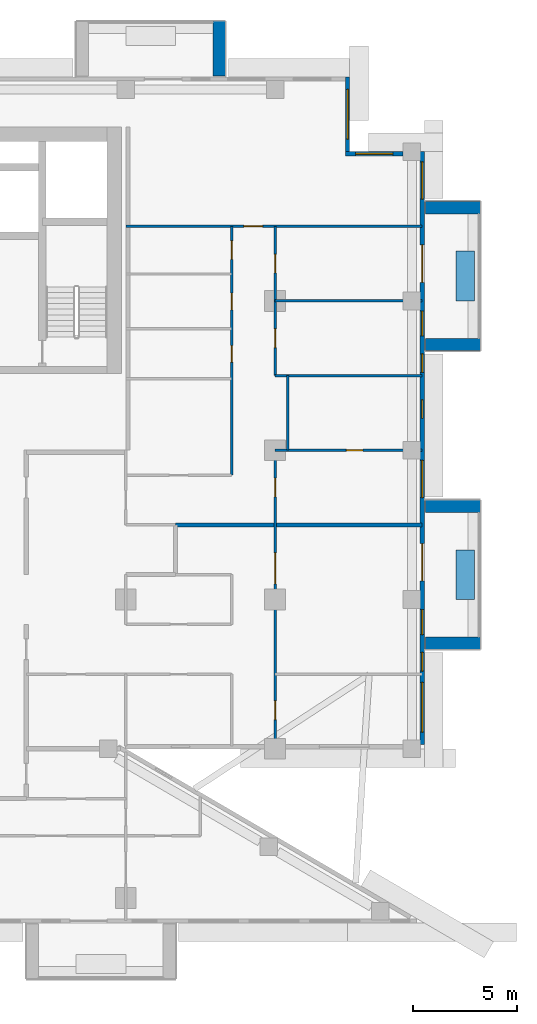
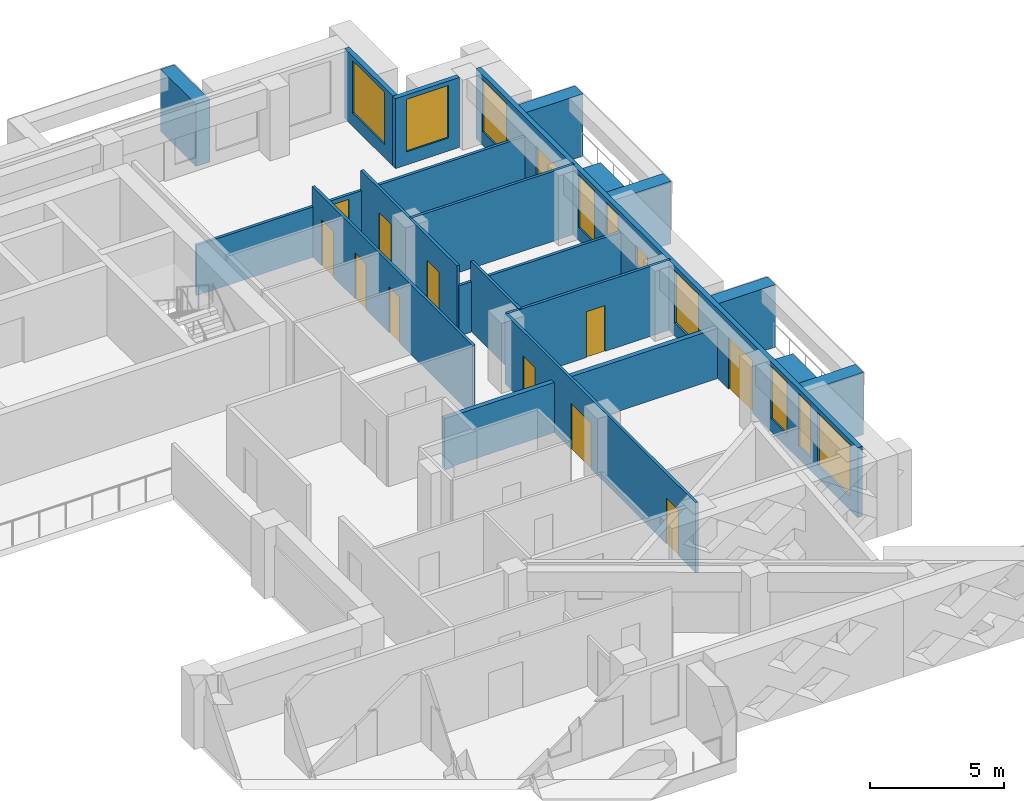
# One storey, part 12 of 20: 19 walls, 12 doors, 10 windows, 22 openings.
"""IFC4 building model written with IfcOpenShell, lengths in metres."""

from ifc_helpers import new_model, si_unit, direction, frame, frame_2d, origin, place, context, subcontext, project, spatial, rectangle, extrude, material, layer, layer_set, type_object, element, fill, save


model = new_model("IFC4")

# Units and contexts
model_context = context("Model", 3, precision=1e-05, world=origin(), true_north=direction((0.0, 1.0)))
body_context = subcontext(model_context, "Body", "Model", "MODEL_VIEW")
ifc_project = project(units=[si_unit("LENGTHUNIT", "METRE"), si_unit("AREAUNIT", "SQUARE_METRE"), si_unit("VOLUMEUNIT", "CUBIC_METRE"), si_unit("PLANEANGLEUNIT", "RADIAN"), si_unit("MASSUNIT", "GRAM", prefix="KILO")], contexts=[model_context])

# Site, building, storey
site_placement = place(None, origin())
site = spatial("IfcSite", under=ifc_project, at=site_placement, CompositionType="ELEMENT")
building_placement = place(site_placement, origin())
building = spatial("IfcBuilding", under=site, at=building_placement, Name="Saffron Iwan Residences", CompositionType="ELEMENT")
storey_placement = place(building_placement, frame((0.0, 0.0, 143.0)))
storey = spatial("IfcBuildingStorey", under=building, at=storey_placement, Name="L37", CompositionType="ELEMENT", Elevation=143.0)

# Walls
ifc_material_1 = material(Name="Concrete C50/60 white painted", Category="concrete")
ifc_layer_1 = layer(ifc_material_1, 0.60009765625)
ifc_layer_set_1 = layer_set([ifc_layer_1], Name="Concrete C50/60 white painted")
wall_type_1 = type_object("IfcWallType", Name="BALCONY FIN 600", PredefinedType="SOLIDWALL", material=ifc_layer_set_1)
for number, where, z_axis, x_axis, name in (
    (1, (86.449951171875, 53.10009765625, 0.0), (0.0, 0.0, 1.0), (1.0, 0.0, 0.0), "Balcony fin L37 F2-0a"),
    (2, (86.449951171875, 59.699951171875, 0.0), (0.0, 0.0, 1.0), (1.0, 0.0, 0.0), "Balcony fin L37 F2-0b"),
    (3, (86.449951171875, 67.5, 0.0), (0.0, 0.0, 1.0), (1.0, 0.0, 0.0), "Balcony fin L37 F2-1a"),
    (4, (86.449951171875, 74.10009765625, 0.0), (0.0, 0.0, 1.0), (1.0, 0.0, 0.0), "Balcony fin L37 F2-1b"),
    (5, (76.5, 80.449951171875, 0.0), (0.0, 0.0, 1.0), (0.0, 1.0, 0.0), "Balcony fin L37 F5-0a"),
):
    element("IfcWall", number, at=place(storey_placement, frame(where, z_axis=z_axis, x_axis=x_axis)), inside=storey, type_object=wall_type_1, Name=name, PredefinedType="SOLIDWALL", context=body_context, shape_type="SweptSolid", body=[
        extrude(rectangle(XDim=2.650146484375, YDim=0.60009765625, at=frame_2d((1.3251953125, 0.0))), origin(), (0.0, 0.0, 1.0), 2.85009765625),
    ])
ifc_material_2 = material(Name="Concrete C35/45 white painted", Category="concrete")
ifc_layer_2 = layer(ifc_material_2, 0.14990234375)
ifc_layer_set_2 = layer_set([ifc_layer_2], Name="Concrete C35/45 white painted")
wall_type_2 = type_object("IfcWallType", Name="BALCONY PLANTER", PredefinedType="SOLIDWALL", material=ifc_layer_set_2)
wall_1_placement = place(storey_placement, frame((88.375, 55.199951171875, 0.0), z_axis=(0.0, 0.0, 1.0), x_axis=(0.0, 1.0, 0.0)))
element("IfcWall", 6, at=wall_1_placement, inside=storey, type_object=wall_type_2, Name="PLANTER L37 F2-0", PredefinedType="SOLIDWALL", context=body_context, shape_type="SweptSolid", body=[
    extrude(rectangle(XDim=2.400146484375, YDim=0.89990234375, at=frame_2d((1.2001953125, 0.0))), origin(), (0.0, 0.0, 1.0), 0.89990234375),
])
wall_2_placement = place(storey_placement, frame((88.375, 69.60009765625, 0.0), z_axis=(0.0, 0.0, 1.0), x_axis=(0.0, 1.0, 0.0)))
element("IfcWall", 7, at=wall_2_placement, inside=storey, type_object=wall_type_2, Name="PLANTER L37 F2-1", PredefinedType="SOLIDWALL", context=body_context, shape_type="SweptSolid", body=[
    extrude(rectangle(XDim=2.39990234375, YDim=0.89990234375, at=frame_2d((1.199951171875, 0.0))), origin(), (0.0, 0.0, 1.0), 0.89990234375),
])

# Wall, openings, doors, windows
ifc_material_3 = material(Name="Concrete C40/50", Category="concrete")
ifc_layer_3 = layer(ifc_material_3, 0.199951171875)
ifc_layer_set_3 = layer_set([ifc_layer_3], Name="Concrete C40/50")
wall_type_3 = type_object("IfcWallType", Name="EXTERNAL WALL 200", PredefinedType="SOLIDWALL", material=ifc_layer_set_3)
wall_3_placement = place(storey_placement, frame((86.300048828125, 48.199951171875, 0.0), z_axis=(0.0, 0.0, 1.0), x_axis=(0.0, 1.0, 0.0)))
wall_3 = element("IfcWall", 8, at=wall_3_placement, inside=storey, type_object=wall_type_3, Name="External wall L37 F2.0", PredefinedType="SOLIDWALL", context=body_context, shape_type="SweptSolid", body=[
    extrude(rectangle(XDim=28.60009765625, YDim=0.199951171875, at=frame_2d((14.300048828125, 0.0))), origin(), (0.0, 0.0, 1.0), 3.199951171875),
])
opening_1_placement = place(wall_3_placement, frame((7.89990234375, 0.0, 0.0)))
opening_1 = element("IfcOpeningElement", 9, at=opening_1_placement, cuts=wall_3, Name="Opening BD1", PredefinedType="OPENING", context=body_context, shape_type="SweptSolid", body=[
    extrude(rectangle(XDim=1.800048828125, YDim=2.39990234375, at=frame_2d((0.89990234375, 1.199951171875))), frame((0.0, 0.10986328125, 0.0), z_axis=(0.0, -1.0, 0.0), x_axis=(1.0, 0.0, 0.0)), (0.0, 0.0, 1.0), 0.219970703125),
])
opening_2_placement = place(wall_3_placement, frame((22.300048828125, 0.0, 0.0)))
opening_2 = element("IfcOpeningElement", 10, at=opening_2_placement, cuts=wall_3, Name="Opening BD1", PredefinedType="OPENING", context=body_context, shape_type="SweptSolid", body=[
    extrude(rectangle(XDim=1.800048828125, YDim=2.39990234375, at=frame_2d((0.89990234375, 1.199951171875))), frame((0.0, 0.10986328125, 0.0), z_axis=(0.0, -1.0, 0.0), x_axis=(1.0, 0.0, 0.0)), (0.0, 0.0, 1.0), 0.219970703125),
])
opening_3_placement = place(wall_3_placement, frame((0.60009765625, 0.0, 0.60009765625)))
opening_3 = element("IfcOpeningElement", 11, at=opening_3_placement, cuts=wall_3, Name="Opening W1", PredefinedType="OPENING", context=body_context, shape_type="SweptSolid", body=[
    extrude(rectangle(XDim=2.39990234375, YDim=2.39990234375, at=frame_2d((1.199951171875, 1.199951171875))), frame((0.0, 0.10986328125, 0.0), z_axis=(0.0, -1.0, 0.0), x_axis=(1.0, 0.0, 0.0)), (0.0, 0.0, 1.0), 0.219970703125),
])
opening_4_placement = place(wall_3_placement, frame((3.550048828125, 0.0, 0.60009765625)))
opening_4 = element("IfcOpeningElement", 12, at=opening_4_placement, cuts=wall_3, Name="Opening W10", PredefinedType="OPENING", context=body_context, shape_type="SweptSolid", body=[
    extrude(rectangle(XDim=0.89990234375, YDim=2.39990234375, at=frame_2d((0.449951171875, 1.199951171875))), frame((0.0, 0.10986328125, 0.0), z_axis=(0.0, -1.0, 0.0), x_axis=(1.0, 0.0, 0.0)), (0.0, 0.0, 1.0), 0.219970703125),
])
opening_5_placement = place(wall_3_placement, frame((5.3125, 0.0, 0.60009765625)))
opening_5 = element("IfcOpeningElement", 13, at=opening_5_placement, cuts=wall_3, Name="Opening W3", PredefinedType="OPENING", context=body_context, shape_type="SweptSolid", body=[
    extrude(rectangle(XDim=1.199951171875, YDim=2.39990234375, at=frame_2d((0.60009765625, 1.199951171875))), frame((0.0, 0.10986328125, 0.0), z_axis=(0.0, -1.0, 0.0), x_axis=(1.0, 0.0, 0.0)), (0.0, 0.0, 1.0), 0.219970703125),
])
opening_6_placement = place(wall_3_placement, frame((11.91259765625, 0.0, 0.60009765625)))
opening_6 = element("IfcOpeningElement", 14, at=opening_6_placement, cuts=wall_3, Name="Opening W8", PredefinedType="OPENING", context=body_context, shape_type="SweptSolid", body=[
    extrude(rectangle(XDim=1.800048828125, YDim=2.39990234375, at=frame_2d((0.89990234375, 1.199951171875))), frame((0.0, 0.10986328125, 0.0), z_axis=(0.0, -1.0, 0.0), x_axis=(1.0, 0.0, 0.0)), (0.0, 0.0, 1.0), 0.219970703125),
])
opening_7_placement = place(wall_3_placement, frame((15.737548828125, 0.0, 1.5)))
opening_7 = element("IfcOpeningElement", 15, at=opening_7_placement, cuts=wall_3, Name="Opening W6", PredefinedType="OPENING", context=body_context, shape_type="SweptSolid", body=[
    extrude(rectangle(XDim=0.89990234375, YDim=0.89990234375, at=frame_2d((0.449951171875, 0.449951171875))), frame((0.0, 0.10986328125, 0.0), z_axis=(0.0, -1.0, 0.0), x_axis=(1.0, 0.0, 0.0)), (0.0, 0.0, 1.0), 0.219970703125),
])
opening_8_placement = place(wall_3_placement, frame((17.949951171875, 0.0, 0.60009765625)))
opening_8 = element("IfcOpeningElement", 16, at=opening_8_placement, cuts=wall_3, Name="Opening W10", PredefinedType="OPENING", context=body_context, shape_type="SweptSolid", body=[
    extrude(rectangle(XDim=0.89990234375, YDim=2.39990234375, at=frame_2d((0.449951171875, 1.199951171875))), frame((0.0, 0.10986328125, 0.0), z_axis=(0.0, -1.0, 0.0), x_axis=(1.0, 0.0, 0.0)), (0.0, 0.0, 1.0), 0.219970703125),
])
opening_9_placement = place(wall_3_placement, frame((19.71240234375, 0.0, 0.60009765625)))
opening_9 = element("IfcOpeningElement", 17, at=opening_9_placement, cuts=wall_3, Name="Opening W3", PredefinedType="OPENING", context=body_context, shape_type="SweptSolid", body=[
    extrude(rectangle(XDim=1.199951171875, YDim=2.39990234375, at=frame_2d((0.60009765625, 1.199951171875))), frame((0.0, 0.10986328125, 0.0), z_axis=(0.0, -1.0, 0.0), x_axis=(1.0, 0.0, 0.0)), (0.0, 0.0, 1.0), 0.219970703125),
])
opening_10_placement = place(wall_3_placement, frame((26.3125, 0.0, 0.60009765625)))
opening_10 = element("IfcOpeningElement", 18, at=opening_10_placement, cuts=wall_3, Name="Opening W8", PredefinedType="OPENING", context=body_context, shape_type="SweptSolid", body=[
    extrude(rectangle(XDim=1.800048828125, YDim=2.39990234375, at=frame_2d((0.89990234375, 1.199951171875))), frame((0.0, 0.10986328125, 0.0), z_axis=(0.0, -1.0, 0.0), x_axis=(1.0, 0.0, 0.0)), (0.0, 0.0, 1.0), 0.219970703125),
])
ifc_material_4 = material(Name="Clear glass, laminated double glazed", Category="glass")
door_type_1 = type_object("IfcDoorType", Name="BALCONY DOOR 1800 x 2400", OperationType="DOUBLE_DOOR_SLIDING", PredefinedType="DOOR", material=ifc_material_4)
door_1_placement = place(opening_1_placement, origin())
door_1 = element("IfcDoor", 19, at=door_1_placement, inside=storey, type_object=door_type_1, Name="Balcony door L37 F2.0", OperationType="DOUBLE_DOOR_SLIDING", OverallHeight=2.39990234375, OverallWidth=1.800048828125, PredefinedType="DOOR", context=body_context, shape_type="SweptSolid", body=[
    extrude(rectangle(XDim=1.800048828125, YDim=2.39990234375, at=frame_2d((0.89990234375, 1.199951171875))), frame((0.0, 0.02490234375, 0.0), z_axis=(0.0, -1.0, 0.0), x_axis=(1.0, 0.0, 0.0)), (0.0, 0.0, 1.0), 0.050048828125),
])
fill(opening_1, door_1)
door_2_placement = place(opening_2_placement, origin())
door_2 = element("IfcDoor", 20, at=door_2_placement, inside=storey, type_object=door_type_1, Name="Balcony door L37 F2.1", OperationType="DOUBLE_DOOR_SLIDING", OverallHeight=2.39990234375, OverallWidth=1.800048828125, PredefinedType="DOOR", context=body_context, shape_type="SweptSolid", body=[
    extrude(rectangle(XDim=1.800048828125, YDim=2.39990234375, at=frame_2d((0.89990234375, 1.199951171875))), frame((0.0, 0.02490234375, 0.0), z_axis=(0.0, -1.0, 0.0), x_axis=(1.0, 0.0, 0.0)), (0.0, 0.0, 1.0), 0.050048828125),
])
fill(opening_2, door_2)
window_type_1 = type_object("IfcWindowType", Name="WINDOW 1200 x 2400", PartitioningType="SINGLE_PANEL", PredefinedType="WINDOW", material=ifc_material_4)
window_1_placement = place(opening_5_placement, origin())
window_1 = element("IfcWindow", 21, at=window_1_placement, inside=storey, type_object=window_type_1, Name="Window L37 F2.4", OverallHeight=2.39990234375, OverallWidth=1.199951171875, PartitioningType="SINGLE_PANEL", PredefinedType="WINDOW", context=body_context, shape_type="SweptSolid", body=[
    extrude(rectangle(XDim=1.199951171875, YDim=2.39990234375, at=frame_2d((0.60009765625, 1.199951171875))), frame((0.0, 0.030029296875, 0.0), z_axis=(0.0, -1.0, 0.0), x_axis=(1.0, 0.0, 0.0)), (0.0, 0.0, 1.0), 0.06005859375),
])
fill(opening_5, window_1)
window_2_placement = place(opening_9_placement, origin())
window_2 = element("IfcWindow", 22, at=window_2_placement, inside=storey, type_object=window_type_1, Name="Window L37 F2.8", OverallHeight=2.39990234375, OverallWidth=1.199951171875, PartitioningType="SINGLE_PANEL", PredefinedType="WINDOW", context=body_context, shape_type="SweptSolid", body=[
    extrude(rectangle(XDim=1.199951171875, YDim=2.39990234375, at=frame_2d((0.60009765625, 1.199951171875))), frame((0.0, 0.030029296875, 0.0), z_axis=(0.0, -1.0, 0.0), x_axis=(1.0, 0.0, 0.0)), (0.0, 0.0, 1.0), 0.06005859375),
])
fill(opening_9, window_2)
window_type_2 = type_object("IfcWindowType", Name="WINDOW 1800 x 2400", PartitioningType="DOUBLE_PANEL_VERTICAL", PredefinedType="WINDOW", material=ifc_material_4)
window_3_placement = place(opening_6_placement, origin())
window_3 = element("IfcWindow", 23, at=window_3_placement, inside=storey, type_object=window_type_2, Name="Window L37 F2.5", OverallHeight=2.39990234375, OverallWidth=1.800048828125, PartitioningType="DOUBLE_PANEL_VERTICAL", PredefinedType="WINDOW", context=body_context, shape_type="SweptSolid", body=[
    extrude(rectangle(XDim=1.800048828125, YDim=2.39990234375, at=frame_2d((0.89990234375, 1.199951171875))), frame((0.0, 0.030029296875, 0.0), z_axis=(0.0, -1.0, 0.0), x_axis=(1.0, 0.0, 0.0)), (0.0, 0.0, 1.0), 0.06005859375),
])
fill(opening_6, window_3)
window_4_placement = place(opening_10_placement, origin())
window_4 = element("IfcWindow", 24, at=window_4_placement, inside=storey, type_object=window_type_2, Name="Window L37 F2.9", OverallHeight=2.39990234375, OverallWidth=1.800048828125, PartitioningType="DOUBLE_PANEL_VERTICAL", PredefinedType="WINDOW", context=body_context, shape_type="SweptSolid", body=[
    extrude(rectangle(XDim=1.800048828125, YDim=2.39990234375, at=frame_2d((0.89990234375, 1.199951171875))), frame((0.0, 0.030029296875, 0.0), z_axis=(0.0, -1.0, 0.0), x_axis=(1.0, 0.0, 0.0)), (0.0, 0.0, 1.0), 0.06005859375),
])
fill(opening_10, window_4)
window_type_3 = type_object("IfcWindowType", Name="WINDOW 2400 x 2400", PartitioningType="DOUBLE_PANEL_VERTICAL", PredefinedType="WINDOW", material=ifc_material_4)
window_5_placement = place(opening_3_placement, origin())
window_5 = element("IfcWindow", 25, at=window_5_placement, inside=storey, type_object=window_type_3, Name="Window L37 F2.2", OverallHeight=2.39990234375, OverallWidth=2.39990234375, PartitioningType="DOUBLE_PANEL_VERTICAL", PredefinedType="WINDOW", context=body_context, shape_type="SweptSolid", body=[
    extrude(rectangle(XDim=2.39990234375, YDim=2.39990234375, at=frame_2d((1.199951171875, 1.199951171875))), frame((0.0, 0.030029296875, 0.0), z_axis=(0.0, -1.0, 0.0), x_axis=(1.0, 0.0, 0.0)), (0.0, 0.0, 1.0), 0.06005859375),
])
fill(opening_3, window_5)
window_type_4 = type_object("IfcWindowType", Name="WINDOW 900 x 2400", PartitioningType="SINGLE_PANEL", PredefinedType="WINDOW", material=ifc_material_4)
window_6_placement = place(opening_4_placement, origin())
window_6 = element("IfcWindow", 26, at=window_6_placement, inside=storey, type_object=window_type_4, Name="Window L37 F2.3", OverallHeight=2.39990234375, OverallWidth=0.89990234375, PartitioningType="SINGLE_PANEL", PredefinedType="WINDOW", context=body_context, shape_type="SweptSolid", body=[
    extrude(rectangle(XDim=0.89990234375, YDim=2.39990234375, at=frame_2d((0.449951171875, 1.199951171875))), frame((0.0, 0.030029296875, 0.0), z_axis=(0.0, -1.0, 0.0), x_axis=(1.0, 0.0, 0.0)), (0.0, 0.0, 1.0), 0.06005859375),
])
fill(opening_4, window_6)
window_7_placement = place(opening_8_placement, origin())
window_7 = element("IfcWindow", 27, at=window_7_placement, inside=storey, type_object=window_type_4, Name="Window L37 F2.7", OverallHeight=2.39990234375, OverallWidth=0.89990234375, PartitioningType="SINGLE_PANEL", PredefinedType="WINDOW", context=body_context, shape_type="SweptSolid", body=[
    extrude(rectangle(XDim=0.89990234375, YDim=2.39990234375, at=frame_2d((0.449951171875, 1.199951171875))), frame((0.0, 0.030029296875, 0.0), z_axis=(0.0, -1.0, 0.0), x_axis=(1.0, 0.0, 0.0)), (0.0, 0.0, 1.0), 0.06005859375),
])
fill(opening_8, window_7)
window_type_5 = type_object("IfcWindowType", Name="WINDOW 900 x 900 BATH", PartitioningType="SINGLE_PANEL", PredefinedType="WINDOW", material=ifc_material_4)
window_8_placement = place(opening_7_placement, origin())
window_8 = element("IfcWindow", 28, at=window_8_placement, inside=storey, type_object=window_type_5, Name="Window L37 F2.6", OverallHeight=0.89990234375, OverallWidth=0.89990234375, PartitioningType="SINGLE_PANEL", PredefinedType="WINDOW", context=body_context, shape_type="SweptSolid", body=[
    extrude(rectangle(XDim=0.89990234375, YDim=0.89990234375, at=frame_2d((0.449951171875, 0.449951171875))), frame((0.0, 0.030029296875, 0.0), z_axis=(0.0, -1.0, 0.0), x_axis=(1.0, 0.0, 0.0)), (0.0, 0.0, 1.0), 0.06005859375),
])
fill(opening_7, window_8)

# Wall, opening, window
wall_4_placement = place(storey_placement, frame((85.375, 76.699951171875, 0.0), z_axis=(0.0, 0.0, 1.0), x_axis=(-1.0, 0.0, 0.0)))
wall_4 = element("IfcWall", 29, at=wall_4_placement, inside=storey, type_object=wall_type_3, Name="External wall L37 F3.0", PredefinedType="SOLIDWALL", context=body_context, shape_type="SweptSolid", body=[
    extrude(rectangle(XDim=2.77490234375, YDim=0.199951171875, at=frame_2d((1.387451171875, 0.0))), origin(), (0.0, 0.0, 1.0), 3.199951171875),
])
opening_11_placement = place(wall_4_placement, frame((0.487548828125, 0.0, 0.60009765625)))
opening_11 = element("IfcOpeningElement", 30, at=opening_11_placement, cuts=wall_4, Name="Opening W8", PredefinedType="OPENING", context=body_context, shape_type="SweptSolid", body=[
    extrude(rectangle(XDim=1.800048828125, YDim=2.39990234375, at=frame_2d((0.89990234375, 1.199951171875))), frame((0.0, 0.10986328125, 0.0), z_axis=(0.0, -1.0, 0.0), x_axis=(1.0, 0.0, 0.0)), (0.0, 0.0, 1.0), 0.219970703125),
])
window_9_placement = place(opening_11_placement, origin())
window_9 = element("IfcWindow", 31, at=window_9_placement, inside=storey, type_object=window_type_2, Name="Window L37 F3.0", OverallHeight=2.39990234375, OverallWidth=1.800048828125, PartitioningType="DOUBLE_PANEL_VERTICAL", PredefinedType="WINDOW", context=body_context, shape_type="SweptSolid", body=[
    extrude(rectangle(XDim=1.800048828125, YDim=2.39990234375, at=frame_2d((0.89990234375, 1.199951171875))), frame((0.0, 0.030029296875, 0.0), z_axis=(0.0, -1.0, 0.0), x_axis=(1.0, 0.0, 0.0)), (0.0, 0.0, 1.0), 0.06005859375),
])
fill(opening_11, window_9)

wall_5_placement = place(storey_placement, frame((82.699951171875, 76.800048828125, 0.0), z_axis=(0.0, 0.0, 1.0), x_axis=(0.0, 1.0, 0.0)))
wall_5 = element("IfcWall", 32, at=wall_5_placement, inside=storey, type_object=wall_type_3, Name="External wall L37 F4.0", PredefinedType="SOLIDWALL", context=body_context, shape_type="SweptSolid", body=[
    extrude(rectangle(XDim=3.599853515625, YDim=0.199951171875, at=frame_2d((1.7998046875, 0.0))), origin(), (0.0, 0.0, 1.0), 3.199951171875),
])
opening_12_placement = place(wall_5_placement, frame((0.60009765625, 0.0, 0.60009765625)))
opening_12 = element("IfcOpeningElement", 33, at=opening_12_placement, cuts=wall_5, Name="Opening W1", PredefinedType="OPENING", context=body_context, shape_type="SweptSolid", body=[
    extrude(rectangle(XDim=2.39990234375, YDim=2.39990234375, at=frame_2d((1.199951171875, 1.199951171875))), frame((0.0, 0.10986328125, 0.0), z_axis=(0.0, -1.0, 0.0), x_axis=(1.0, 0.0, 0.0)), (0.0, 0.0, 1.0), 0.219970703125),
])
window_10_placement = place(opening_12_placement, origin())
window_10 = element("IfcWindow", 34, at=window_10_placement, inside=storey, type_object=window_type_3, Name="Window L37 F4.0", OverallHeight=2.39990234375, OverallWidth=2.39990234375, PartitioningType="DOUBLE_PANEL_VERTICAL", PredefinedType="WINDOW", context=body_context, shape_type="SweptSolid", body=[
    extrude(rectangle(XDim=2.39990234375, YDim=2.39990234375, at=frame_2d((1.199951171875, 1.199951171875))), frame((0.0, 0.030029296875, 0.0), z_axis=(0.0, -1.0, 0.0), x_axis=(1.0, 0.0, 0.0)), (0.0, 0.0, 1.0), 0.06005859375),
])
fill(opening_12, window_10)

# Wall
ifc_material_5 = material(Name="Fire-rated gypsum board wall")
ifc_layer_4 = layer(ifc_material_5, 0.199951171875)
ifc_layer_set_4 = layer_set([ifc_layer_4], Name="Fire-rated gypsum board wall")
wall_type_4 = type_object("IfcWallType", Name="Flat demising wall 200", PredefinedType="SOLIDWALL", material=ifc_layer_set_4)
wall_6_placement = place(storey_placement, frame((74.39990234375, 58.800048828125, 0.0), z_axis=(0.0, 0.0, 1.0), x_axis=(1.0, 0.0, 0.0)))
element("IfcWall", 35, at=wall_6_placement, inside=storey, type_object=wall_type_4, Name="W-L37-DEMISE-h58.8-74.4", PredefinedType="SOLIDWALL", context=body_context, shape_type="SweptSolid", body=[
    extrude(rectangle(XDim=11.875, YDim=0.199951171875, at=frame_2d((5.9375, 0.0))), origin(), (0.0, 0.0, 1.0), 2.300048828125),
])

# Wall, opening, door
ifc_material_6 = material(Name="Gypsum board partition")
ifc_layer_5 = layer(ifc_material_6, 0.1201171875)
ifc_layer_set_5 = layer_set([ifc_layer_5], Name="Gypsum board partition")
wall_type_5 = type_object("IfcWallType", Name="Flat partition 120", PredefinedType="PARTITIONING", material=ifc_layer_set_5)
wall_7_placement = place(storey_placement, frame((79.199951171875, 62.39990234375, 0.0), z_axis=(0.0, 0.0, 1.0), x_axis=(1.0, 0.0, 0.0)))
wall_7 = element("IfcWall", 36, at=wall_7_placement, inside=storey, type_object=wall_type_5, Name="W-L37-PART-h62.4-79.2", PredefinedType="PARTITIONING", context=body_context, shape_type="SweptSolid", body=[
    extrude(rectangle(XDim=7.074951171875, YDim=0.1201171875, at=frame_2d((3.53759765625, 0.0))), origin(), (0.0, 0.0, 1.0), 3.199951171875),
])
opening_13_placement = place(wall_7_placement, frame((3.4375, 0.0, 0.0)))
opening_13 = element("IfcOpeningElement", 37, at=opening_13_placement, cuts=wall_7, Name="Opening FD3", PredefinedType="OPENING", context=body_context, shape_type="SweptSolid", body=[
    extrude(rectangle(XDim=0.800048828125, YDim=2.10009765625, at=frame_2d((0.39990234375, 1.050048828125))), frame((0.0, 0.070068359375, 0.0), z_axis=(0.0, -1.0, 0.0), x_axis=(1.0, 0.0, 0.0)), (0.0, 0.0, 1.0), 0.14013671875),
])
ifc_material_7 = material(Name="Timber door", Category="wood")
door_type_2 = type_object("IfcDoorType", Name="Bathroom door 800", OperationType="NOTDEFINED", PredefinedType="DOOR", material=ifc_material_7)
door_3_placement = place(opening_13_placement, origin())
door_3 = element("IfcDoor", 38, at=door_3_placement, inside=storey, type_object=door_type_2, Name="Door L37-033", OperationType="SINGLE_SWING_RIGHT", OverallHeight=2.10009765625, OverallWidth=0.800048828125, PredefinedType="DOOR", context=body_context, shape_type="SweptSolid", body=[
    extrude(rectangle(XDim=0.800048828125, YDim=2.10009765625, at=frame_2d((0.39990234375, 1.050048828125))), frame((0.0, 0.02490234375, 0.0), z_axis=(0.0, -1.0, 0.0), x_axis=(1.0, 0.0, 0.0)), (0.0, 0.0, 1.0), 0.050048828125),
])
fill(opening_13, door_3)

# Walls
wall_8_placement = place(storey_placement, frame((79.199951171875, 66.0, 0.0), z_axis=(0.0, 0.0, 1.0), x_axis=(1.0, 0.0, 0.0)))
element("IfcWall", 39, at=wall_8_placement, inside=storey, type_object=wall_type_5, Name="W-L37-PART-h66-79.2", PredefinedType="PARTITIONING", context=body_context, shape_type="SweptSolid", body=[
    extrude(rectangle(XDim=7.074951171875, YDim=0.1201171875, at=frame_2d((3.53759765625, 0.0))), origin(), (0.0, 0.0, 1.0), 2.300048828125),
])
wall_9_placement = place(storey_placement, frame((79.199951171875, 69.60009765625, 0.0), z_axis=(0.0, 0.0, 1.0), x_axis=(1.0, 0.0, 0.0)))
element("IfcWall", 40, at=wall_9_placement, inside=storey, type_object=wall_type_5, Name="W-L37-PART-h69.6-79.2", PredefinedType="PARTITIONING", context=body_context, shape_type="SweptSolid", body=[
    extrude(rectangle(XDim=7.074951171875, YDim=0.1201171875, at=frame_2d((3.53759765625, 0.0))), origin(), (0.0, 0.0, 1.0), 3.199951171875),
])

# Wall, opening, door
wall_10_placement = place(storey_placement, frame((72.0, 73.199951171875, 0.0), z_axis=(0.0, 0.0, 1.0), x_axis=(1.0, 0.0, 0.0)))
wall_10 = element("IfcWall", 41, at=wall_10_placement, inside=storey, type_object=wall_type_5, Name="W-L37-PART-h73.2-72", PredefinedType="PARTITIONING", context=body_context, shape_type="SweptSolid", body=[
    extrude(rectangle(XDim=14.27490234375, YDim=0.1201171875, at=frame_2d((7.137451171875, 0.0))), origin(), (0.0, 0.0, 1.0), 2.300048828125),
])
opening_14_placement = place(wall_10_placement, frame((5.699951171875, 0.0, 0.0)))
opening_14 = element("IfcOpeningElement", 42, at=opening_14_placement, cuts=wall_10, Name="Opening FD2", PredefinedType="OPENING", context=body_context, shape_type="SweptSolid", body=[
    extrude(rectangle(XDim=0.89990234375, YDim=2.10009765625, at=frame_2d((0.449951171875, 1.050048828125))), frame((0.0, 0.070068359375, 0.0), z_axis=(0.0, -1.0, 0.0), x_axis=(1.0, 0.0, 0.0)), (0.0, 0.0, 1.0), 0.14013671875),
])
door_type_3 = type_object("IfcDoorType", Name="Flat door 900", OperationType="NOTDEFINED", PredefinedType="DOOR", material=ifc_material_7)
door_4_placement = place(opening_14_placement, origin())
door_4 = element("IfcDoor", 43, at=door_4_placement, inside=storey, type_object=door_type_3, Name="Door L37-036", OperationType="SINGLE_SWING_RIGHT", OverallHeight=2.10009765625, OverallWidth=0.89990234375, PredefinedType="DOOR", context=body_context, shape_type="SweptSolid", body=[
    extrude(rectangle(XDim=0.89990234375, YDim=2.10009765625, at=frame_2d((0.449951171875, 1.050048828125))), frame((0.0, 0.02490234375, 0.0), z_axis=(0.0, -1.0, 0.0), x_axis=(1.0, 0.0, 0.0)), (0.0, 0.0, 1.0), 0.050048828125),
])
fill(opening_14, door_4)

# Wall, openings, doors
wall_11_placement = place(storey_placement, frame((77.10009765625, 61.199951171875, 0.0), z_axis=(0.0, 0.0, 1.0), x_axis=(0.0, 1.0, 0.0)))
wall_11 = element("IfcWall", 44, at=wall_11_placement, inside=storey, type_object=wall_type_5, Name="W-L37-PART-v77.1-61.2", PredefinedType="PARTITIONING", context=body_context, shape_type="SweptSolid", body=[
    extrude(rectangle(XDim=12.0, YDim=0.1201171875, at=frame_2d((6.0, 0.0))), origin(), (0.0, 0.0, 1.0), 3.199951171875),
])
opening_15_placement = place(wall_11_placement, frame((5.449951171875, 0.0, 0.0)))
opening_15 = element("IfcOpeningElement", 45, at=opening_15_placement, cuts=wall_11, Name="Opening FD3", PredefinedType="OPENING", context=body_context, shape_type="SweptSolid", body=[
    extrude(rectangle(XDim=0.800048828125, YDim=2.10009765625, at=frame_2d((0.39990234375, 1.050048828125))), frame((0.0, 0.070068359375, 0.0), z_axis=(0.0, -1.0, 0.0), x_axis=(1.0, 0.0, 0.0)), (0.0, 0.0, 1.0), 0.14013671875),
])
opening_16_placement = place(wall_11_placement, frame((7.97509765625, 0.0, 0.0)))
opening_16 = element("IfcOpeningElement", 46, at=opening_16_placement, cuts=wall_11, Name="Opening FD3", PredefinedType="OPENING", context=body_context, shape_type="SweptSolid", body=[
    extrude(rectangle(XDim=0.800048828125, YDim=2.10009765625, at=frame_2d((0.39990234375, 1.050048828125))), frame((0.0, 0.070068359375, 0.0), z_axis=(0.0, -1.0, 0.0), x_axis=(1.0, 0.0, 0.0)), (0.0, 0.0, 1.0), 0.14013671875),
])
opening_17_placement = place(wall_11_placement, frame((10.39990234375, 0.0, 0.0)))
opening_17 = element("IfcOpeningElement", 47, at=opening_17_placement, cuts=wall_11, Name="Opening FD2", PredefinedType="OPENING", context=body_context, shape_type="SweptSolid", body=[
    extrude(rectangle(XDim=0.89990234375, YDim=2.10009765625, at=frame_2d((0.449951171875, 1.050048828125))), frame((0.0, 0.070068359375, 0.0), z_axis=(0.0, -1.0, 0.0), x_axis=(1.0, 0.0, 0.0)), (0.0, 0.0, 1.0), 0.14013671875),
])
door_5_placement = place(opening_15_placement, origin())
door_5 = element("IfcDoor", 48, at=door_5_placement, inside=storey, type_object=door_type_2, Name="Door L37-038", OperationType="SINGLE_SWING_LEFT", OverallHeight=2.10009765625, OverallWidth=0.800048828125, PredefinedType="DOOR", context=body_context, shape_type="SweptSolid", body=[
    extrude(rectangle(XDim=0.800048828125, YDim=2.10009765625, at=frame_2d((0.39990234375, 1.050048828125))), frame((0.0, 0.02490234375, 0.0), z_axis=(0.0, -1.0, 0.0), x_axis=(1.0, 0.0, 0.0)), (0.0, 0.0, 1.0), 0.050048828125),
])
fill(opening_15, door_5)
door_6_placement = place(opening_16_placement, origin())
door_6 = element("IfcDoor", 49, at=door_6_placement, inside=storey, type_object=door_type_2, Name="Door L37-039", OperationType="SINGLE_SWING_RIGHT", OverallHeight=2.10009765625, OverallWidth=0.800048828125, PredefinedType="DOOR", context=body_context, shape_type="SweptSolid", body=[
    extrude(rectangle(XDim=0.800048828125, YDim=2.10009765625, at=frame_2d((0.39990234375, 1.050048828125))), frame((0.0, 0.02490234375, 0.0), z_axis=(0.0, -1.0, 0.0), x_axis=(1.0, 0.0, 0.0)), (0.0, 0.0, 1.0), 0.050048828125),
])
fill(opening_16, door_6)
door_7_placement = place(opening_17_placement, origin())
door_7 = element("IfcDoor", 50, at=door_7_placement, inside=storey, type_object=door_type_3, Name="Door L37-040", OperationType="SINGLE_SWING_LEFT", OverallHeight=2.10009765625, OverallWidth=0.89990234375, PredefinedType="DOOR", context=body_context, shape_type="SweptSolid", body=[
    extrude(rectangle(XDim=0.89990234375, YDim=2.10009765625, at=frame_2d((0.449951171875, 1.050048828125))), frame((0.0, 0.02490234375, 0.0), z_axis=(0.0, -1.0, 0.0), x_axis=(1.0, 0.0, 0.0)), (0.0, 0.0, 1.0), 0.050048828125),
])
fill(opening_17, door_7)

wall_12_placement = place(storey_placement, frame((79.199951171875, 48.125, 0.0), z_axis=(0.0, 0.0, 1.0), x_axis=(0.0, 1.0, 0.0)))
wall_12 = element("IfcWall", 51, at=wall_12_placement, inside=storey, type_object=wall_type_5, Name="W-L37-PART-v79.2-48.125", PredefinedType="PARTITIONING", context=body_context, shape_type="SweptSolid", body=[
    extrude(rectangle(XDim=14.27490234375, YDim=0.1201171875, at=frame_2d((7.137451171875, 0.0))), origin(), (0.0, 0.0, 1.0), 3.199951171875),
])
opening_18_placement = place(wall_12_placement, frame((1.28759765625, 0.0, 0.0)))
opening_18 = element("IfcOpeningElement", 52, at=opening_18_placement, cuts=wall_12, Name="Opening FD2", PredefinedType="OPENING", context=body_context, shape_type="SweptSolid", body=[
    extrude(rectangle(XDim=0.89990234375, YDim=2.10009765625, at=frame_2d((0.449951171875, 1.050048828125))), frame((0.0, 0.070068359375, 0.0), z_axis=(0.0, -1.0, 0.0), x_axis=(1.0, 0.0, 0.0)), (0.0, 0.0, 1.0), 0.14013671875),
])
opening_19_placement = place(wall_12_placement, frame((7.824951171875, 0.0, 0.0)))
opening_19 = element("IfcOpeningElement", 53, at=opening_19_placement, cuts=wall_12, Name="Opening FD4", PredefinedType="OPENING", context=body_context, shape_type="SweptSolid", body=[
    extrude(rectangle(XDim=1.5, YDim=2.10009765625, at=frame_2d((0.75, 1.050048828125))), frame((0.0, 0.070068359375, 0.0), z_axis=(0.0, -1.0, 0.0), x_axis=(1.0, 0.0, 0.0)), (0.0, 0.0, 1.0), 0.14013671875),
])
opening_20_placement = place(wall_12_placement, frame((12.02490234375, 0.0, 0.0)))
opening_20 = element("IfcOpeningElement", 54, at=opening_20_placement, cuts=wall_12, Name="Opening FD2", PredefinedType="OPENING", context=body_context, shape_type="SweptSolid", body=[
    extrude(rectangle(XDim=0.89990234375, YDim=2.10009765625, at=frame_2d((0.449951171875, 1.050048828125))), frame((0.0, 0.070068359375, 0.0), z_axis=(0.0, -1.0, 0.0), x_axis=(1.0, 0.0, 0.0)), (0.0, 0.0, 1.0), 0.14013671875),
])
door_type_4 = type_object("IfcDoorType", Name="Double door 1500", OperationType="NOTDEFINED", PredefinedType="DOOR", material=ifc_material_7)
door_8_placement = place(opening_19_placement, origin())
door_8 = element("IfcDoor", 55, at=door_8_placement, inside=storey, type_object=door_type_4, Name="Door L37-018", OperationType="SINGLE_SWING_LEFT", OverallHeight=2.10009765625, OverallWidth=1.5, PredefinedType="DOOR", context=body_context, shape_type="SweptSolid", body=[
    extrude(rectangle(XDim=1.5, YDim=2.10009765625, at=frame_2d((0.75, 1.050048828125))), frame((0.0, 0.02490234375, 0.0), z_axis=(0.0, -1.0, 0.0), x_axis=(1.0, 0.0, 0.0)), (0.0, 0.0, 1.0), 0.050048828125),
])
fill(opening_19, door_8)
door_9_placement = place(opening_18_placement, origin())
door_9 = element("IfcDoor", 56, at=door_9_placement, inside=storey, type_object=door_type_3, Name="Door L37-017", OperationType="SINGLE_SWING_LEFT", OverallHeight=2.10009765625, OverallWidth=0.89990234375, PredefinedType="DOOR", context=body_context, shape_type="SweptSolid", body=[
    extrude(rectangle(XDim=0.89990234375, YDim=2.10009765625, at=frame_2d((0.449951171875, 1.050048828125))), frame((0.0, 0.02490234375, 0.0), z_axis=(0.0, -1.0, 0.0), x_axis=(1.0, 0.0, 0.0)), (0.0, 0.0, 1.0), 0.050048828125),
])
fill(opening_18, door_9)
door_10_placement = place(opening_20_placement, origin())
door_10 = element("IfcDoor", 57, at=door_10_placement, inside=storey, type_object=door_type_3, Name="Door L37-032", OperationType="SINGLE_SWING_LEFT", OverallHeight=2.10009765625, OverallWidth=0.89990234375, PredefinedType="DOOR", context=body_context, shape_type="SweptSolid", body=[
    extrude(rectangle(XDim=0.89990234375, YDim=2.10009765625, at=frame_2d((0.449951171875, 1.050048828125))), frame((0.0, 0.02490234375, 0.0), z_axis=(0.0, -1.0, 0.0), x_axis=(1.0, 0.0, 0.0)), (0.0, 0.0, 1.0), 0.050048828125),
])
fill(opening_20, door_10)

wall_13_placement = place(storey_placement, frame((79.199951171875, 66.0, 0.0), z_axis=(0.0, 0.0, 1.0), x_axis=(0.0, 1.0, 0.0)))
wall_13 = element("IfcWall", 58, at=wall_13_placement, inside=storey, type_object=wall_type_5, Name="W-L37-PART-v79.2-66", PredefinedType="PARTITIONING", context=body_context, shape_type="SweptSolid", body=[
    extrude(rectangle(XDim=7.199951171875, YDim=0.1201171875, at=frame_2d((3.60009765625, 0.0))), origin(), (0.0, 0.0, 1.0), 3.199951171875),
])
opening_21_placement = place(wall_13_placement, frame((1.35009765625, 0.0, 0.0)))
opening_21 = element("IfcOpeningElement", 59, at=opening_21_placement, cuts=wall_13, Name="Opening FD2", PredefinedType="OPENING", context=body_context, shape_type="SweptSolid", body=[
    extrude(rectangle(XDim=0.89990234375, YDim=2.10009765625, at=frame_2d((0.449951171875, 1.050048828125))), frame((0.0, 0.070068359375, 0.0), z_axis=(0.0, -1.0, 0.0), x_axis=(1.0, 0.0, 0.0)), (0.0, 0.0, 1.0), 0.14013671875),
])
opening_22_placement = place(wall_13_placement, frame((4.949951171875, 0.0, 0.0)))
opening_22 = element("IfcOpeningElement", 60, at=opening_22_placement, cuts=wall_13, Name="Opening FD2", PredefinedType="OPENING", context=body_context, shape_type="SweptSolid", body=[
    extrude(rectangle(XDim=0.89990234375, YDim=2.10009765625, at=frame_2d((0.449951171875, 1.050048828125))), frame((0.0, 0.070068359375, 0.0), z_axis=(0.0, -1.0, 0.0), x_axis=(1.0, 0.0, 0.0)), (0.0, 0.0, 1.0), 0.14013671875),
])
door_11_placement = place(opening_21_placement, origin())
door_11 = element("IfcDoor", 61, at=door_11_placement, inside=storey, type_object=door_type_3, Name="Door L37-034", OperationType="SINGLE_SWING_LEFT", OverallHeight=2.10009765625, OverallWidth=0.89990234375, PredefinedType="DOOR", context=body_context, shape_type="SweptSolid", body=[
    extrude(rectangle(XDim=0.89990234375, YDim=2.10009765625, at=frame_2d((0.449951171875, 1.050048828125))), frame((0.0, 0.02490234375, 0.0), z_axis=(0.0, -1.0, 0.0), x_axis=(1.0, 0.0, 0.0)), (0.0, 0.0, 1.0), 0.050048828125),
])
fill(opening_21, door_11)
door_12_placement = place(opening_22_placement, origin())
door_12 = element("IfcDoor", 62, at=door_12_placement, inside=storey, type_object=door_type_3, Name="Door L37-035", OperationType="SINGLE_SWING_LEFT", OverallHeight=2.10009765625, OverallWidth=0.89990234375, PredefinedType="DOOR", context=body_context, shape_type="SweptSolid", body=[
    extrude(rectangle(XDim=0.89990234375, YDim=2.10009765625, at=frame_2d((0.449951171875, 1.050048828125))), frame((0.0, 0.02490234375, 0.0), z_axis=(0.0, -1.0, 0.0), x_axis=(1.0, 0.0, 0.0)), (0.0, 0.0, 1.0), 0.050048828125),
])
fill(opening_22, door_12)

# Wall
wall_14_placement = place(storey_placement, frame((79.800048828125, 62.39990234375, 0.0), z_axis=(0.0, 0.0, 1.0), x_axis=(0.0, 1.0, 0.0)))
element("IfcWall", 63, at=wall_14_placement, inside=storey, type_object=wall_type_5, Name="W-L37-PART-v79.8-62.4", PredefinedType="PARTITIONING", context=body_context, shape_type="SweptSolid", body=[
    extrude(rectangle(XDim=3.60009765625, YDim=0.1201171875, at=frame_2d((1.800048828125, 0.0))), origin(), (0.0, 0.0, 1.0), 3.199951171875),
])

save(model, "model.ifc")
